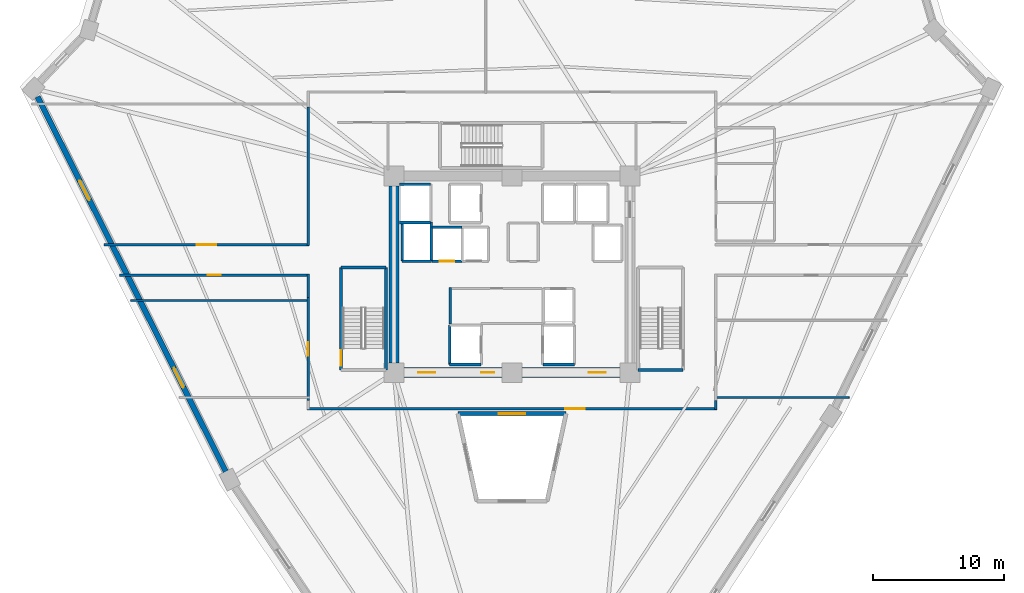
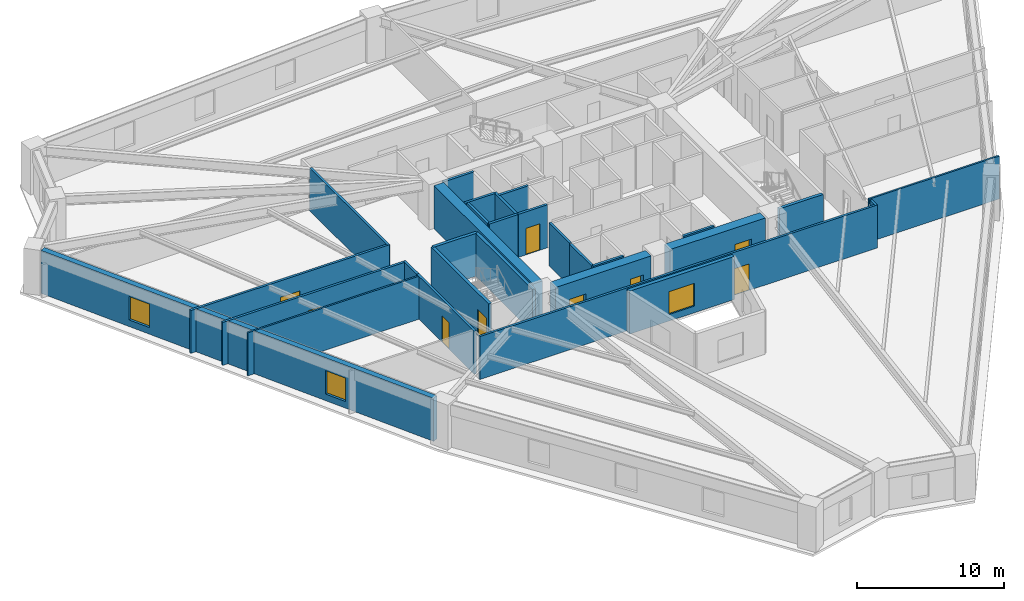
# One storey, part 3 of 7: 29 walls, 9 doors, 3 windows, 12 openings.
"""IFC4 building model written with IfcOpenShell, lengths in metres."""

from ifc_helpers import new_model, si_unit, direction, frame, frame_2d, origin, place, context, subcontext, project, spatial, rectangle, extrude, source, transform, mapped, material, layer, layer_set, type_object, element, fill, save


model = new_model("IFC4")

# Units and contexts
model_context = context("Model", 3, precision=1e-05, world=origin(), true_north=direction((0.0, 1.0)))
body_context = subcontext(model_context, "Body", "Model", "MODEL_VIEW")
ifc_project = project(units=[si_unit("LENGTHUNIT", "METRE"), si_unit("AREAUNIT", "SQUARE_METRE"), si_unit("VOLUMEUNIT", "CUBIC_METRE"), si_unit("PLANEANGLEUNIT", "RADIAN"), si_unit("MASSUNIT", "GRAM", prefix="KILO")], contexts=[model_context])

# Site, building, storey
site_placement = place(None, origin())
site = spatial("IfcSite", under=ifc_project, at=site_placement, CompositionType="ELEMENT")
building_placement = place(site_placement, origin())
building = spatial("IfcBuilding", under=site, at=building_placement, Name="Liaohun Quay Tower", CompositionType="ELEMENT")
storey_placement = place(building_placement, frame((0.0, 0.0, 117.0)))
storey = spatial("IfcBuildingStorey", under=building, at=storey_placement, Name="L30", CompositionType="ELEMENT", Elevation=117.0)

# Wall, opening, window
ifc_material_1 = material(Name="Concrete C50", Category="concrete")
ifc_layer_1 = layer(ifc_material_1, 0.300048828125, Name="Concrete C50", Category="concrete")
ifc_layer_set_1 = layer_set([ifc_layer_1], Name="Concrete C50")
wall_type_1 = type_object("IfcWallType", Name="WAL-ATR-300", PredefinedType="SOLIDWALL", material=ifc_layer_set_1)
wall_1_placement = place(storey_placement, frame((55.875, 43.3701171875, 0.0), z_axis=(0.0, 0.0, 1.0), x_axis=(1.0, 0.0, 0.0)))
wall_1 = element("IfcWall", 1, at=wall_1_placement, inside=storey, type_object=wall_type_1, Name="L30 Atrium Fire Compartment Wall 2", PredefinedType="SOLIDWALL", context=body_context, shape_type="SweptSolid", body=[
    extrude(rectangle(XDim=8.25, YDim=0.300048828125, at=frame_2d((4.125, 0.0))), origin(), (0.0, 0.0, 1.0), 3.570068359375),
])
shared_shape_1 = source(origin(), body_context, "Body", "SweptSolid", [
    extrude(rectangle(XDim=2.0, YDim=1.89990234375, at=frame_2d((1.0, 0.949951171875))), frame((0.0, 0.159912109375, 0.0), z_axis=(0.0, -1.0, 0.0), x_axis=(1.0, 0.0, 0.0)), (0.0, 0.0, 1.0), 0.320068359375),
])
opening_1_placement = place(wall_1_placement, frame((3.125, 0.0, 0.550048828125)))
opening_1 = element("IfcOpeningElement", 2, at=opening_1_placement, cuts=wall_1, Name="Opening W07", PredefinedType="OPENING", context=body_context, shape_type="MappedRepresentation", body=[
    mapped(shared_shape_1, transform((0.0, 0.0, 0.0), x_axis=(1.0, 0.0, 0.0), y_axis=(0.0, 1.0, 0.0), z_axis=(0.0, 0.0, 1.0), scale=1.0)),
])
ifc_material_2 = material(Name="Class A 180-min fire-resistant insulated glazing", Category="glass")
window_type_1 = type_object("IfcWindowType", Name="WIN-ATR-FIR", PartitioningType="DOUBLE_PANEL_VERTICAL", PredefinedType="WINDOW", material=ifc_material_2)
shared_shape_2 = source(origin(), body_context, "Body", "SweptSolid", [
    extrude(rectangle(XDim=2.0, YDim=1.89990234375, at=frame_2d((1.0, 0.949951171875))), frame((0.0, 0.030029296875, 0.0), z_axis=(0.0, -1.0, 0.0), x_axis=(1.0, 0.0, 0.0)), (0.0, 0.0, 1.0), 0.06005859375),
])
window_1_placement = place(opening_1_placement, origin())
window_1 = element("IfcWindow", 3, at=window_1_placement, inside=storey, type_object=window_type_1, Name="L30 Atrium Fire-Resistant Glazing W07-2", OverallHeight=1.89990234375, OverallWidth=2.0, PartitioningType="DOUBLE_PANEL_VERTICAL", PredefinedType="WINDOW", context=body_context, shape_type="MappedRepresentation", body=[
    mapped(shared_shape_2, transform((0.0, 0.0, 0.0), x_axis=(1.0, 0.0, 0.0), y_axis=(0.0, 1.0, 0.0), z_axis=(0.0, 0.0, 1.0), scale=1.0)),
])
fill(opening_1, window_1)

# Wall, opening, door
ifc_material_3 = material(Name="Concrete C60", Category="concrete")
ifc_layer_2 = layer(ifc_material_3, 0.75, Name="Concrete C60", Category="concrete")
ifc_layer_set_2 = layer_set([ifc_layer_2], Name="Concrete C60")
wall_type_2 = type_object("IfcWallType", Name="WAL-COR-Z2", PredefinedType="SHEAR", material=ifc_layer_set_2)
wall_2_placement = place(storey_placement, frame((68.25, 46.5, 0.0), z_axis=(0.0, 0.0, 1.0), x_axis=(-1.0, 0.0, 0.0)))
wall_2 = element("IfcWall", 4, at=wall_2_placement, inside=storey, type_object=wall_type_2, Name="L30 Central Core Shear Wall S-E", PredefinedType="SHEAR", context=body_context, shape_type="SweptSolid", body=[
    extrude(rectangle(XDim=7.5, YDim=0.75, at=frame_2d((3.75, 0.0))), origin(), (0.0, 0.0, 1.0), 3.570068359375),
])
shared_shape_3 = source(origin(), body_context, "Body", "SweptSolid", [
    extrude(rectangle(XDim=1.300048828125, YDim=2.199951171875, at=frame_2d((0.64990234375, 1.10009765625))), frame((0.0, 0.385009765625, 0.0), z_axis=(0.0, -1.0, 0.0), x_axis=(1.0, 0.0, 0.0)), (0.0, 0.0, 1.0), 0.77001953125),
])
opening_2_placement = place(wall_2_placement, frame((1.10009765625, 0.0, 0.0)))
opening_2 = element("IfcOpeningElement", 5, at=opening_2_placement, cuts=wall_2, Name="Opening FD1", PredefinedType="OPENING", context=body_context, shape_type="MappedRepresentation", body=[
    mapped(shared_shape_3, transform((0.0, 0.0, 0.0), x_axis=(1.0, 0.0, 0.0), y_axis=(0.0, 1.0, 0.0), z_axis=(0.0, 0.0, 1.0), scale=1.0)),
])
ifc_material_4 = material(Name="Galvanised steel smokeproof fire door", Category="steel")
door_type_1 = type_object("IfcDoorType", Name="DOR-FFL-1300", OperationType="NOTDEFINED", PredefinedType="DOOR", material=ifc_material_4)
shared_shape_4 = source(origin(), body_context, "Body", "SweptSolid", [
    extrude(rectangle(XDim=1.300048828125, YDim=2.199951171875, at=frame_2d((0.64990234375, 1.10009765625))), frame((0.0, 0.02490234375, 0.0), z_axis=(0.0, -1.0, 0.0), x_axis=(1.0, 0.0, 0.0)), (0.0, 0.0, 1.0), 0.050048828125),
])
door_1_placement = place(opening_2_placement, origin())
door_1 = element("IfcDoor", 6, at=door_1_placement, inside=storey, type_object=door_type_1, Name="L30 East Core Lift Lobby Smokeproof Door", OperationType="SINGLE_SWING_LEFT", OverallHeight=2.199951171875, OverallWidth=1.300048828125, PredefinedType="DOOR", context=body_context, shape_type="MappedRepresentation", body=[
    mapped(shared_shape_4, transform((0.0, 0.0, 0.0), x_axis=(1.0, 0.0, 0.0), y_axis=(0.0, 1.0, 0.0), z_axis=(0.0, 0.0, 1.0), scale=1.0)),
])
fill(opening_2, door_1)

# Wall, openings, doors
wall_3_placement = place(storey_placement, frame((59.25, 46.5, 0.0), z_axis=(0.0, 0.0, 1.0), x_axis=(-1.0, 0.0, 0.0)))
wall_3 = element("IfcWall", 7, at=wall_3_placement, inside=storey, type_object=wall_type_2, Name="L30 Central Core Shear Wall S-W", PredefinedType="SHEAR", context=body_context, shape_type="SweptSolid", body=[
    extrude(rectangle(XDim=7.5, YDim=0.75, at=frame_2d((3.75, 0.0))), origin(), (0.0, 0.0, 1.0), 3.570068359375),
])
opening_3_placement = place(wall_3_placement, frame((5.10009765625, 0.0, 0.0)))
opening_3 = element("IfcOpeningElement", 8, at=opening_3_placement, cuts=wall_3, Name="Opening FD1", PredefinedType="OPENING", context=body_context, shape_type="MappedRepresentation", body=[
    mapped(shared_shape_3, transform((0.0, 0.0, 0.0), x_axis=(1.0, 0.0, 0.0), y_axis=(0.0, 1.0, 0.0), z_axis=(0.0, 0.0, 1.0), scale=1.0)),
])
shared_shape_5 = source(origin(), body_context, "Body", "SweptSolid", [
    extrude(rectangle(XDim=1.0, YDim=2.199951171875, at=frame_2d((0.5, 1.10009765625))), frame((0.0, 0.385009765625, 0.0), z_axis=(0.0, -1.0, 0.0), x_axis=(1.0, 0.0, 0.0)), (0.0, 0.0, 1.0), 0.77001953125),
])
opening_4_placement = place(wall_3_placement, frame((0.60009765625, 0.0, 0.0)))
opening_4 = element("IfcOpeningElement", 9, at=opening_4_placement, cuts=wall_3, Name="Opening FD2", PredefinedType="OPENING", context=body_context, shape_type="MappedRepresentation", body=[
    mapped(shared_shape_5, transform((0.0, 0.0, 0.0), x_axis=(1.0, 0.0, 0.0), y_axis=(0.0, 1.0, 0.0), z_axis=(0.0, 0.0, 1.0), scale=1.0)),
])
door_2_placement = place(opening_3_placement, origin())
door_2 = element("IfcDoor", 10, at=door_2_placement, inside=storey, type_object=door_type_1, Name="L30 West Core Lift Lobby Smokeproof Door", OperationType="SINGLE_SWING_RIGHT", OverallHeight=2.199951171875, OverallWidth=1.300048828125, PredefinedType="DOOR", context=body_context, shape_type="MappedRepresentation", body=[
    mapped(shared_shape_4, transform((0.0, 0.0, 0.0), x_axis=(1.0, 0.0, 0.0), y_axis=(0.0, 1.0, 0.0), z_axis=(0.0, 0.0, 1.0), scale=1.0)),
])
fill(opening_3, door_2)
ifc_material_5 = material(Name="Galvanised steel smokeproof lobby fire door", Category="steel")
door_type_2 = type_object("IfcDoorType", Name="DOR-FFL-1000", OperationType="NOTDEFINED", PredefinedType="DOOR", material=ifc_material_5)
shared_shape_6 = source(origin(), body_context, "Body", "SweptSolid", [
    extrude(rectangle(XDim=1.0, YDim=2.199951171875, at=frame_2d((0.5, 1.10009765625))), frame((0.0, 0.02490234375, 0.0), z_axis=(0.0, -1.0, 0.0), x_axis=(1.0, 0.0, 0.0)), (0.0, 0.0, 1.0), 0.050048828125),
])
door_3_placement = place(opening_4_placement, origin())
door_3 = element("IfcDoor", 11, at=door_3_placement, inside=storey, type_object=door_type_2, Name="L30 South Firefighting Lobby Smokeproof Door", OperationType="SINGLE_SWING_LEFT", OverallHeight=2.199951171875, OverallWidth=1.0, PredefinedType="DOOR", context=body_context, shape_type="MappedRepresentation", body=[
    mapped(shared_shape_6, transform((0.0, 0.0, 0.0), x_axis=(1.0, 0.0, 0.0), y_axis=(0.0, 1.0, 0.0), z_axis=(0.0, 0.0, 1.0), scale=1.0)),
])
fill(opening_4, door_3)

# Wall
wall_4_placement = place(storey_placement, frame((51.0, 47.25, 0.0), z_axis=(0.0, 0.0, 1.0), x_axis=(0.0, 1.0, 0.0)))
element("IfcWall", 12, at=wall_4_placement, inside=storey, type_object=wall_type_2, Name="L30 Central Core Shear Wall W", PredefinedType="SHEAR", context=body_context, shape_type="SweptSolid", body=[
    extrude(rectangle(XDim=13.5, YDim=0.75, at=frame_2d((6.75, 0.0))), origin(), (0.0, 0.0, 1.0), 3.570068359375),
])

# Wall, openings, windows
ifc_material_6 = material(Name="Precast concrete C50 insulated sandwich", Category="concrete")
ifc_layer_3 = layer(ifc_material_6, 0.419921875, Name="Precast concrete C50 insulated sandwich", Category="concrete")
ifc_layer_set_3 = layer_set([ifc_layer_3], Name="Precast concrete C50 insulated sandwich")
wall_type_3 = type_object("IfcWallType", Name="WAL-EXT-Z12", PredefinedType="SOLIDWALL", material=ifc_layer_set_3)
wall_5_placement = place(storey_placement, frame((23.797119140625, 67.552978515625, 0.0), z_axis=(0.0, 0.0, 1.0), x_axis=(0.448851439989, -0.893606392558, 0.0)))
wall_5 = element("IfcWall", 13, at=wall_5_placement, inside=storey, type_object=wall_type_3, Name="L30 Brutalist Precast Pier Wall 10", PredefinedType="SOLIDWALL", context=body_context, shape_type="SweptSolid", body=[
    extrude(rectangle(XDim=32.00390625, YDim=0.419921875, at=frame_2d((16.001953125, 0.0))), origin(), (0.0, 0.0, 1.0), 3.570068359375),
])
shared_shape_7 = source(origin(), body_context, "Body", "SweptSolid", [
    extrude(rectangle(XDim=1.64990234375, YDim=1.949951171875, at=frame_2d((0.824951171875, 0.97509765625))), frame((0.0, 0.219970703125, 0.0), z_axis=(0.0, -1.0, 0.0), x_axis=(1.0, 0.0, 0.0)), (0.0, 0.0, 1.0), 0.43994140625),
])
opening_5_placement = place(wall_5_placement, frame((7.176025390625, 0.0, 0.550048828125)))
opening_5 = element("IfcOpeningElement", 14, at=opening_5_placement, cuts=wall_5, Name="Opening W02", PredefinedType="OPENING", context=body_context, shape_type="MappedRepresentation", body=[
    mapped(shared_shape_7, transform((0.0, 0.0, 0.0), x_axis=(1.0, 0.0, 0.0), y_axis=(0.0, 1.0, 0.0), z_axis=(0.0, 0.0, 1.0), scale=1.0)),
])
opening_6_placement = place(wall_5_placement, frame((23.177978515625, 0.0, 0.550048828125)))
opening_6 = element("IfcOpeningElement", 15, at=opening_6_placement, cuts=wall_5, Name="Opening W02", PredefinedType="OPENING", context=body_context, shape_type="MappedRepresentation", body=[
    mapped(shared_shape_7, transform((0.0, 0.0, 0.0), x_axis=(1.0, 0.0, 0.0), y_axis=(0.0, 1.0, 0.0), z_axis=(0.0, 0.0, 1.0), scale=1.0)),
])
ifc_material_7 = material(Name="Triple Low-E argon glazing in thermally broken aluminium", Category="aluminium")
window_type_2 = type_object("IfcWindowType", Name="WIN-PUN-Z2", PartitioningType="DOUBLE_PANEL_VERTICAL", PredefinedType="WINDOW", material=ifc_material_7)
shared_shape_8 = source(origin(), body_context, "Body", "SweptSolid", [
    extrude(rectangle(XDim=1.64990234375, YDim=1.949951171875, at=frame_2d((0.824951171875, 0.97509765625))), frame((0.0, 0.030029296875, 0.0), z_axis=(0.0, -1.0, 0.0), x_axis=(1.0, 0.0, 0.0)), (0.0, 0.0, 1.0), 0.06005859375),
])
window_2_placement = place(opening_5_placement, origin())
window_2 = element("IfcWindow", 16, at=window_2_placement, inside=storey, type_object=window_type_2, Name="L30 Recessed Cold-Climate Punched Window 10-1", OverallHeight=1.949951171875, OverallWidth=1.64990234375, PartitioningType="DOUBLE_PANEL_VERTICAL", PredefinedType="WINDOW", context=body_context, shape_type="MappedRepresentation", body=[
    mapped(shared_shape_8, transform((0.0, 0.0, 0.0), x_axis=(1.0, 0.0, 0.0), y_axis=(0.0, 1.0, 0.0), z_axis=(0.0, 0.0, 1.0), scale=1.0)),
])
fill(opening_5, window_2)
window_3_placement = place(opening_6_placement, origin())
window_3 = element("IfcWindow", 17, at=window_3_placement, inside=storey, type_object=window_type_2, Name="L30 Recessed Cold-Climate Punched Window 10-3", OverallHeight=1.949951171875, OverallWidth=1.64990234375, PartitioningType="DOUBLE_PANEL_VERTICAL", PredefinedType="WINDOW", context=body_context, shape_type="MappedRepresentation", body=[
    mapped(shared_shape_8, transform((0.0, 0.0, 0.0), x_axis=(1.0, 0.0, 0.0), y_axis=(0.0, 1.0, 0.0), z_axis=(0.0, 0.0, 1.0), scale=1.0)),
])
fill(opening_6, window_3)

# Wall, opening, door
ifc_material_8 = material(Name="Autoclaved aerated concrete blockwork", Category="masonry")
ifc_layer_4 = layer(ifc_material_8, 0.179931640625, Name="Autoclaved aerated concrete blockwork", Category="masonry")
ifc_layer_set_4 = layer_set([ifc_layer_4], Name="Autoclaved aerated concrete blockwork")
wall_type_4 = type_object("IfcWallType", Name="WAL-PRT-COR", PredefinedType="PARTITIONING", material=ifc_layer_set_4)
wall_6_placement = place(storey_placement, frame((28.8740234375, 56.260009765625, 0.0), z_axis=(0.0, 0.0, 1.0), x_axis=(1.0, 0.0, 0.0)))
wall_6 = element("IfcWall", 18, at=wall_6_placement, inside=storey, type_object=wall_type_4, Name="L30 Interior Partition Wall 013", PredefinedType="PARTITIONING", context=body_context, shape_type="SweptSolid", body=[
    extrude(rectangle(XDim=15.635986328125, YDim=0.179931640625, at=frame_2d((7.81787109375, 0.0))), origin(), (0.0, 0.0, 1.0), 3.570068359375),
])
shared_shape_9 = source(origin(), body_context, "Body", "SweptSolid", [
    extrude(rectangle(XDim=1.5, YDim=2.199951171875, at=frame_2d((0.75, 1.10009765625))), frame((0.0, 0.099853515625, 0.0), z_axis=(0.0, -1.0, 0.0), x_axis=(1.0, 0.0, 0.0)), (0.0, 0.0, 1.0), 0.199951171875),
])
opening_7_placement = place(wall_6_placement, frame((7.068115234375, 0.0, 0.0)))
opening_7 = element("IfcOpeningElement", 19, at=opening_7_placement, cuts=wall_6, Name="Opening OD2", PredefinedType="OPENING", context=body_context, shape_type="MappedRepresentation", body=[
    mapped(shared_shape_9, transform((0.0, 0.0, 0.0), x_axis=(1.0, 0.0, 0.0), y_axis=(0.0, 1.0, 0.0), z_axis=(0.0, 0.0, 1.0), scale=1.0)),
])
ifc_material_9 = material(Name="Acoustic oak veneer double door")
door_type_3 = type_object("IfcDoorType", Name="DOR-OFF-1500", OperationType="DOUBLE_DOOR_SINGLE_SWING", PredefinedType="DOOR", material=ifc_material_9)
shared_shape_10 = source(origin(), body_context, "Body", "SweptSolid", [
    extrude(rectangle(XDim=1.5, YDim=2.199951171875, at=frame_2d((0.75, 1.10009765625))), frame((0.0, 0.02490234375, 0.0), z_axis=(0.0, -1.0, 0.0), x_axis=(1.0, 0.0, 0.0)), (0.0, 0.0, 1.0), 0.050048828125),
])
door_4_placement = place(opening_7_placement, origin())
door_4 = element("IfcDoor", 20, at=door_4_placement, inside=storey, type_object=door_type_3, Name="L30 Project Collaboration Studio 04 Door", OperationType="DOUBLE_DOOR_SINGLE_SWING", OverallHeight=2.199951171875, OverallWidth=1.5, PredefinedType="DOOR", context=body_context, shape_type="MappedRepresentation", body=[
    mapped(shared_shape_10, transform((0.0, 0.0, 0.0), x_axis=(1.0, 0.0, 0.0), y_axis=(0.0, 1.0, 0.0), z_axis=(0.0, 0.0, 1.0), scale=1.0)),
])
fill(opening_7, door_4)

wall_7_placement = place(storey_placement, frame((44.510009765625, 53.93994140625, 0.0), z_axis=(0.0, 0.0, 1.0), x_axis=(-1.0, 0.0, 0.0)))
wall_7 = element("IfcWall", 21, at=wall_7_placement, inside=storey, type_object=wall_type_4, Name="L30 Interior Partition Wall 014", PredefinedType="PARTITIONING", context=body_context, shape_type="SweptSolid", body=[
    extrude(rectangle(XDim=14.470947265625, YDim=0.179931640625, at=frame_2d((7.2353515625, 0.0))), origin(), (0.0, 0.0, 1.0), 3.570068359375),
])
shared_shape_11 = source(origin(), body_context, "Body", "SweptSolid", [
    extrude(rectangle(XDim=1.0, YDim=2.199951171875, at=frame_2d((0.5, 1.10009765625))), frame((0.0, 0.099853515625, 0.0), z_axis=(0.0, -1.0, 0.0), x_axis=(1.0, 0.0, 0.0)), (0.0, 0.0, 1.0), 0.199951171875),
])
opening_8_placement = place(wall_7_placement, frame((6.735107421875, 0.0, 0.0)))
opening_8 = element("IfcOpeningElement", 22, at=opening_8_placement, cuts=wall_7, Name="Opening OD1", PredefinedType="OPENING", context=body_context, shape_type="MappedRepresentation", body=[
    mapped(shared_shape_11, transform((0.0, 0.0, 0.0), x_axis=(1.0, 0.0, 0.0), y_axis=(0.0, 1.0, 0.0), z_axis=(0.0, 0.0, 1.0), scale=1.0)),
])
ifc_material_10 = material(Name="Solid-core oak veneer timber leaf in steel frame", Category="steel")
door_type_4 = type_object("IfcDoorType", Name="DOR-OFF-1000", OperationType="NOTDEFINED", PredefinedType="DOOR", material=ifc_material_10)
door_5_placement = place(opening_8_placement, origin())
door_5 = element("IfcDoor", 23, at=door_5_placement, inside=storey, type_object=door_type_4, Name="L30 Staff Daycare Nursery 05 Door", OperationType="SINGLE_SWING_LEFT", OverallHeight=2.199951171875, OverallWidth=1.0, PredefinedType="DOOR", context=body_context, shape_type="MappedRepresentation", body=[
    mapped(shared_shape_6, transform((0.0, 0.0, 0.0), x_axis=(1.0, 0.0, 0.0), y_axis=(0.0, 1.0, 0.0), z_axis=(0.0, 0.0, 1.0), scale=1.0)),
])
fill(opening_8, door_5)

wall_8_placement = place(storey_placement, frame((44.43994140625, 44.385009765625, 0.0), z_axis=(0.0, 0.0, 1.0), x_axis=(0.0, 1.0, 0.0)))
wall_8 = element("IfcWall", 24, at=wall_8_placement, inside=storey, type_object=wall_type_4, Name="L30 Interior Partition Wall 015", PredefinedType="PARTITIONING", context=body_context, shape_type="SweptSolid", body=[
    extrude(rectangle(XDim=7.830078125, YDim=0.179931640625, at=frame_2d((3.9150390625, 0.0))), origin(), (0.0, 0.0, 1.0), 3.570068359375),
])
opening_9_placement = place(wall_8_placement, frame((3.4150390625, 0.0, 0.0)))
opening_9 = element("IfcOpeningElement", 25, at=opening_9_placement, cuts=wall_8, Name="Opening OD1", PredefinedType="OPENING", context=body_context, shape_type="MappedRepresentation", body=[
    mapped(shared_shape_11, transform((0.0, 0.0, 0.0), x_axis=(1.0, 0.0, 0.0), y_axis=(0.0, 1.0, 0.0), z_axis=(0.0, 0.0, 1.0), scale=1.0)),
])
door_6_placement = place(opening_9_placement, origin())
door_6 = element("IfcDoor", 26, at=door_6_placement, inside=storey, type_object=door_type_4, Name="L30 Staff Tea Kitchen and Pantry 06 Door", OperationType="SINGLE_SWING_RIGHT", OverallHeight=2.199951171875, OverallWidth=1.0, PredefinedType="DOOR", context=body_context, shape_type="MappedRepresentation", body=[
    mapped(shared_shape_6, transform((0.0, 0.0, 0.0), x_axis=(1.0, 0.0, 0.0), y_axis=(0.0, 1.0, 0.0), z_axis=(0.0, 0.0, 1.0), scale=1.0)),
])
fill(opening_9, door_6)

wall_9_placement = place(storey_placement, frame((75.6298828125, 43.739990234375, 0.0), z_axis=(0.0, 0.0, 1.0), x_axis=(-1.0, 0.0, 0.0)))
wall_9 = element("IfcWall", 27, at=wall_9_placement, inside=storey, type_object=wall_type_4, Name="L30 Interior Partition Wall 016", PredefinedType="PARTITIONING", context=body_context, shape_type="SweptSolid", body=[
    extrude(rectangle(XDim=31.259765625, YDim=0.179931640625, at=frame_2d((15.6298828125, 0.0))), origin(), (0.0, 0.0, 1.0), 3.570068359375),
])
opening_10_placement = place(wall_9_placement, frame((10.080078125, 0.0, 0.0)))
opening_10 = element("IfcOpeningElement", 28, at=opening_10_placement, cuts=wall_9, Name="Opening OD2", PredefinedType="OPENING", context=body_context, shape_type="MappedRepresentation", body=[
    mapped(shared_shape_9, transform((0.0, 0.0, 0.0), x_axis=(1.0, 0.0, 0.0), y_axis=(0.0, 1.0, 0.0), z_axis=(0.0, 0.0, 1.0), scale=1.0)),
])
door_7_placement = place(opening_10_placement, origin())
door_7 = element("IfcDoor", 29, at=door_7_placement, inside=storey, type_object=door_type_3, Name="L30 Technical Reference Library 07 Door", OperationType="DOUBLE_DOOR_SINGLE_SWING", OverallHeight=2.199951171875, OverallWidth=1.5, PredefinedType="DOOR", context=body_context, shape_type="MappedRepresentation", body=[
    mapped(shared_shape_10, transform((0.0, 0.0, 0.0), x_axis=(1.0, 0.0, 0.0), y_axis=(0.0, 1.0, 0.0), z_axis=(0.0, 0.0, 1.0), scale=1.0)),
])
fill(opening_10, door_7)

# Walls
wall_10_placement = place(storey_placement, frame((44.43994140625, 56.18994140625, 0.0), z_axis=(0.0, 0.0, 1.0), x_axis=(0.0, 1.0, 0.0)))
element("IfcWall", 30, at=wall_10_placement, inside=storey, type_object=wall_type_4, Name="L30 Interior Partition Wall 032", PredefinedType="PARTITIONING", context=body_context, shape_type="SweptSolid", body=[
    extrude(rectangle(XDim=10.594970703125, YDim=0.179931640625, at=frame_2d((5.29736328125, 0.0))), origin(), (0.0, 0.0, 1.0), 3.570068359375),
])
wall_11_placement = place(storey_placement, frame((44.43994140625, 52.215087890625, 0.0), z_axis=(0.0, 0.0, 1.0), x_axis=(0.0, 1.0, 0.0)))
element("IfcWall", 31, at=wall_11_placement, inside=storey, type_object=wall_type_4, Name="L30 Interior Partition Wall 033", PredefinedType="PARTITIONING", context=body_context, shape_type="SweptSolid", body=[
    extrude(rectangle(XDim=1.794921875, YDim=0.179931640625, at=frame_2d((0.8974609375, 0.0))), origin(), (0.0, 0.0, 1.0), 3.570068359375),
])
wall_12_placement = place(storey_placement, frame((75.56005859375, 44.385009765625, 0.0), z_axis=(0.0, 0.0, 1.0), x_axis=(0.0, -1.0, 0.0)))
element("IfcWall", 32, at=wall_12_placement, inside=storey, type_object=wall_type_4, Name="L30 Interior Partition Wall 035", PredefinedType="PARTITIONING", context=body_context, shape_type="SweptSolid", body=[
    extrude(rectangle(XDim=0.715087890625, YDim=0.179931640625, at=frame_2d((0.357421875, 0.0))), origin(), (0.0, 0.0, 1.0), 3.570068359375),
])
wall_13_placement = place(storey_placement, frame((55.300048828125, 50.219970703125, 0.0), z_axis=(0.0, 0.0, 1.0), x_axis=(0.0, 1.0, 0.0)))
element("IfcWall", 33, at=wall_13_placement, inside=storey, type_object=wall_type_4, Name="L30 Interior Partition Wall 044", PredefinedType="PARTITIONING", context=body_context, shape_type="SweptSolid", body=[
    extrude(rectangle(XDim=2.7900390625, YDim=0.179931640625, at=frame_2d((1.39501953125, 0.0))), origin(), (0.0, 0.0, 1.0), 3.570068359375),
])
ifc_material_11 = material(Name="Gypsum board on twin steel studs", Category="steel")
ifc_layer_5 = layer(ifc_material_11, 0.139892578125, Name="Gypsum board on twin steel studs", Category="steel")
ifc_layer_set_5 = layer_set([ifc_layer_5], Name="Gypsum board on twin steel studs")
wall_type_5 = type_object("IfcWallType", Name="WAL-PRT-OFF", PredefinedType="PARTITIONING", material=ifc_layer_set_5)
wall_14_placement = place(storey_placement, frame((44.5400390625, 52.0, 0.0), z_axis=(0.0, 0.0, 1.0), x_axis=(-1.0, 0.0, 0.0)))
element("IfcWall", 34, at=wall_14_placement, inside=storey, type_object=wall_type_5, Name="L30 Interior Partition Wall 038", PredefinedType="PARTITIONING", context=body_context, shape_type="SweptSolid", body=[
    extrude(rectangle(XDim=13.635986328125, YDim=0.139892578125, at=frame_2d((6.81787109375, 0.0))), origin(), (0.0, 0.0, 1.0), 3.570068359375),
])
wall_15_placement = place(storey_placement, frame((75.4599609375, 44.60009765625, 0.0), z_axis=(0.0, 0.0, 1.0), x_axis=(1.0, 0.0, 0.0)))
element("IfcWall", 35, at=wall_15_placement, inside=storey, type_object=wall_type_5, Name="L30 Interior Partition Wall 040", PredefinedType="PARTITIONING", context=body_context, shape_type="SweptSolid", body=[
    extrude(rectangle(XDim=10.259033203125, YDim=0.139892578125, at=frame_2d((5.12939453125, 0.0))), origin(), (0.0, 0.0, 1.0), 3.570068359375),
])
ifc_layer_6 = layer(ifc_material_1, 0.239990234375, Name="Concrete C50", Category="concrete")
ifc_layer_set_6 = layer_set([ifc_layer_6], Name="Concrete C50")
wall_type_6 = type_object("IfcWallType", Name="WAL-SHF-200", PredefinedType="SOLIDWALL", material=ifc_layer_set_6)
wall_16_placement = place(storey_placement, frame((50.3798828125, 46.699951171875, 0.0), z_axis=(0.0, 0.0, 1.0), x_axis=(0.0, 1.0, 0.0)))
element("IfcWall", 36, at=wall_16_placement, inside=storey, type_object=wall_type_6, Name="L30 Stairwell ST-1 Structural Core Wall E", PredefinedType="SOLIDWALL", context=body_context, shape_type="SweptSolid", body=[
    extrude(rectangle(XDim=7.820068359375, YDim=0.239990234375, at=frame_2d((3.91015625, 0.0))), origin(), (0.0, 0.0, 1.0), 3.570068359375),
])
wall_17_placement = place(storey_placement, frame((50.3798828125, 54.52001953125, 0.0), z_axis=(0.0, 0.0, 1.0), x_axis=(-1.0, 0.0, 0.0)))
element("IfcWall", 37, at=wall_17_placement, inside=storey, type_object=wall_type_6, Name="L30 Stairwell ST-1 Structural Core Wall N", PredefinedType="SOLIDWALL", context=body_context, shape_type="SweptSolid", body=[
    extrude(rectangle(XDim=3.43994140625, YDim=0.239990234375, at=frame_2d((1.719970703125, 0.0))), origin(), (0.0, 0.0, 1.0), 3.570068359375),
])

# Wall, opening, door
wall_18_placement = place(storey_placement, frame((46.93994140625, 54.52001953125, 0.0), z_axis=(0.0, 0.0, 1.0), x_axis=(0.0, -1.0, 0.0)))
wall_18 = element("IfcWall", 38, at=wall_18_placement, inside=storey, type_object=wall_type_6, Name="L30 Stairwell ST-1 Structural Core Wall W", PredefinedType="SOLIDWALL", context=body_context, shape_type="SweptSolid", body=[
    extrude(rectangle(XDim=7.820068359375, YDim=0.239990234375, at=frame_2d((3.91015625, 0.0))), origin(), (0.0, 0.0, 1.0), 3.570068359375),
])
shared_shape_12 = source(origin(), body_context, "Body", "SweptSolid", [
    extrude(rectangle(XDim=1.199951171875, YDim=2.199951171875, at=frame_2d((0.60009765625, 1.10009765625))), frame((0.0, 0.1298828125, 0.0), z_axis=(0.0, -1.0, 0.0), x_axis=(1.0, 0.0, 0.0)), (0.0, 0.0, 1.0), 0.260009765625),
])
opening_11_placement = place(wall_18_placement, frame((6.300048828125, 0.0, 0.0)))
opening_11 = element("IfcOpeningElement", 39, at=opening_11_placement, cuts=wall_18, Name="Opening SD1", PredefinedType="OPENING", context=body_context, shape_type="MappedRepresentation", body=[
    mapped(shared_shape_12, transform((0.0, 0.0, 0.0), x_axis=(1.0, 0.0, 0.0), y_axis=(0.0, 1.0, 0.0), z_axis=(0.0, 0.0, 1.0), scale=1.0)),
])
ifc_material_12 = material(Name="Galvanised steel fire door", Category="steel")
door_type_5 = type_object("IfcDoorType", Name="DOR-STR-1200", OperationType="NOTDEFINED", PredefinedType="DOOR", material=ifc_material_12)
shared_shape_13 = source(origin(), body_context, "Body", "SweptSolid", [
    extrude(rectangle(XDim=1.199951171875, YDim=2.199951171875, at=frame_2d((0.60009765625, 1.10009765625))), frame((0.0, 0.02490234375, 0.0), z_axis=(0.0, -1.0, 0.0), x_axis=(1.0, 0.0, 0.0)), (0.0, 0.0, 1.0), 0.050048828125),
])
door_8_placement = place(opening_11_placement, origin())
door_8 = element("IfcDoor", 40, at=door_8_placement, inside=storey, type_object=door_type_5, Name="L30 Protected Stair ST-1 Fire Door", OperationType="SINGLE_SWING_LEFT", OverallHeight=2.199951171875, OverallWidth=1.199951171875, PredefinedType="DOOR", context=body_context, shape_type="MappedRepresentation", body=[
    mapped(shared_shape_13, transform((0.0, 0.0, 0.0), x_axis=(1.0, 0.0, 0.0), y_axis=(0.0, 1.0, 0.0), z_axis=(0.0, 0.0, 1.0), scale=1.0)),
])
fill(opening_11, door_8)

# Walls
wall_19_placement = place(storey_placement, frame((69.6201171875, 46.699951171875, 0.0), z_axis=(0.0, 0.0, 1.0), x_axis=(1.0, 0.0, 0.0)))
element("IfcWall", 41, at=wall_19_placement, inside=storey, type_object=wall_type_6, Name="L30 Stairwell ST-2 Structural Core Wall S", PredefinedType="SOLIDWALL", context=body_context, shape_type="SweptSolid", body=[
    extrude(rectangle(XDim=3.43994140625, YDim=0.239990234375, at=frame_2d((1.719970703125, 0.0))), origin(), (0.0, 0.0, 1.0), 3.570068359375),
])
wall_20_placement = place(storey_placement, frame((55.25, 47.1201171875, 0.0), z_axis=(0.0, 0.0, 1.0), x_axis=(1.0, 0.0, 0.0)))
element("IfcWall", 42, at=wall_20_placement, inside=storey, type_object=wall_type_6, Name="L30 Lift FF-01 Hoistway Wall S", PredefinedType="SOLIDWALL", context=body_context, shape_type="SweptSolid", body=[
    extrude(rectangle(XDim=2.39990234375, YDim=0.199951171875, at=frame_2d((1.199951171875, 0.0))), origin(), (0.0, 0.0, 1.0), 3.570068359375),
])
wall_21_placement = place(storey_placement, frame((55.25, 50.1201171875, 0.0), z_axis=(0.0, 0.0, 1.0), x_axis=(0.0, -1.0, 0.0)))
element("IfcWall", 43, at=wall_21_placement, inside=storey, type_object=wall_type_6, Name="L30 Lift FF-01 Hoistway Wall W", PredefinedType="SOLIDWALL", context=body_context, shape_type="SweptSolid", body=[
    extrude(rectangle(XDim=3.0, YDim=0.199951171875, at=frame_2d((1.5, 0.0))), origin(), (0.0, 0.0, 1.0), 3.570068359375),
])
wall_22_placement = place(storey_placement, frame((62.35009765625, 47.1201171875, 0.0), z_axis=(0.0, 0.0, 1.0), x_axis=(1.0, 0.0, 0.0)))
element("IfcWall", 44, at=wall_22_placement, inside=storey, type_object=wall_type_6, Name="L30 Lift FF-02 Hoistway Wall S", PredefinedType="SOLIDWALL", context=body_context, shape_type="SweptSolid", body=[
    extrude(rectangle(XDim=2.39990234375, YDim=0.199951171875, at=frame_2d((1.199951171875, 0.0))), origin(), (0.0, 0.0, 1.0), 3.570068359375),
])
for number, where, z_axis, x_axis, name in (
    (45, (51.39990234375, 57.949951171875, 0.0), (0.0, 0.0, 1.0), (1.0, 0.0, 0.0), "L30 Lift SH-01 Hoistway Wall S"),
    (46, (53.800048828125, 60.8798828125, 0.0), (0.0, 0.0, 1.0), (-1.0, 0.0, 0.0), "L30 Lift SH-01 Hoistway Wall N"),
):
    element("IfcWall", number, at=place(storey_placement, frame(where, z_axis=z_axis, x_axis=x_axis)), inside=storey, type_object=wall_type_6, Name=name, PredefinedType="SOLIDWALL", context=body_context, shape_type="SweptSolid", body=[
        extrude(rectangle(XDim=2.400146484375, YDim=0.199951171875, at=frame_2d((1.2001953125, 0.0))), origin(), (0.0, 0.0, 1.0), 3.570068359375),
    ])
wall_23_placement = place(storey_placement, frame((51.6201171875, 55.0, 0.0), z_axis=(0.0, 0.0, 1.0), x_axis=(1.0, 0.0, 0.0)))
element("IfcWall", 47, at=wall_23_placement, inside=storey, type_object=wall_type_6, Name="L30 Lift SH-02 Hoistway Wall S", PredefinedType="SOLIDWALL", context=body_context, shape_type="SweptSolid", body=[
    extrude(rectangle(XDim=2.22998046875, YDim=0.199951171875, at=frame_2d((1.114990234375, 0.0))), origin(), (0.0, 0.0, 1.0), 3.570068359375),
])
for number, where, z_axis, x_axis, name in (
    (48, (53.85009765625, 55.0, 0.0), (0.0, 0.0, 1.0), (0.0, 1.0, 0.0), "L30 Lift SH-02 Hoistway Wall E"),
    (49, (51.6201171875, 58.0, 0.0), (0.0, 0.0, 1.0), (0.0, -1.0, 0.0), "L30 Lift SH-02 Hoistway Wall W"),
):
    element("IfcWall", number, at=place(storey_placement, frame(where, z_axis=z_axis, x_axis=x_axis)), inside=storey, type_object=wall_type_6, Name=name, PredefinedType="SOLIDWALL", context=body_context, shape_type="SweptSolid", body=[
        extrude(rectangle(XDim=3.0, YDim=0.199951171875, at=frame_2d((1.5, 0.0))), origin(), (0.0, 0.0, 1.0), 3.570068359375),
    ])

# Wall, opening, door
wall_24_placement = place(storey_placement, frame((53.89990234375, 55.0, 0.0), z_axis=(0.0, 0.0, 1.0), x_axis=(1.0, 0.0, 0.0)))
wall_24 = element("IfcWall", 50, at=wall_24_placement, inside=storey, type_object=wall_type_6, Name="L30 Lift PL-2B Hoistway Wall S", PredefinedType="SOLIDWALL", context=body_context, shape_type="SweptSolid", body=[
    extrude(rectangle(XDim=2.300048828125, YDim=0.199951171875, at=frame_2d((1.14990234375, 0.0))), origin(), (0.0, 0.0, 1.0), 3.570068359375),
])
shared_shape_14 = source(origin(), body_context, "Body", "SweptSolid", [
    extrude(rectangle(XDim=1.10009765625, YDim=2.199951171875, at=frame_2d((0.550048828125, 1.10009765625))), frame((0.0, 0.10986328125, 0.0), z_axis=(0.0, -1.0, 0.0), x_axis=(1.0, 0.0, 0.0)), (0.0, 0.0, 1.0), 0.219970703125),
])
opening_12_placement = place(wall_24_placement, frame((0.60009765625, 0.0, 0.0)))
opening_12 = element("IfcOpeningElement", 51, at=opening_12_placement, cuts=wall_24, Name="Opening LD1", PredefinedType="OPENING", context=body_context, shape_type="MappedRepresentation", body=[
    mapped(shared_shape_14, transform((0.0, 0.0, 0.0), x_axis=(1.0, 0.0, 0.0), y_axis=(0.0, 1.0, 0.0), z_axis=(0.0, 0.0, 1.0), scale=1.0)),
])
ifc_material_13 = material(Name="Brushed stainless steel landing door", Category="steel")
door_type_6 = type_object("IfcDoorType", Name="DOR-LFT-1100", OperationType="SLIDING_TO_LEFT", PredefinedType="DOOR", material=ifc_material_13)
shared_shape_15 = source(origin(), body_context, "Body", "SweptSolid", [
    extrude(rectangle(XDim=1.10009765625, YDim=2.199951171875, at=frame_2d((0.550048828125, 1.10009765625))), frame((0.0, 0.02490234375, 0.0), z_axis=(0.0, -1.0, 0.0), x_axis=(1.0, 0.0, 0.0)), (0.0, 0.0, 1.0), 0.050048828125),
])
door_9_placement = place(opening_12_placement, origin())
door_9 = element("IfcDoor", 52, at=door_9_placement, inside=storey, type_object=door_type_6, Name="L30 Lift PL-2B Sliding Landing Door", OperationType="SLIDING_TO_LEFT", OverallHeight=2.199951171875, OverallWidth=1.10009765625, PredefinedType="DOOR", context=body_context, shape_type="MappedRepresentation", body=[
    mapped(shared_shape_15, transform((0.0, 0.0, 0.0), x_axis=(1.0, 0.0, 0.0), y_axis=(0.0, 1.0, 0.0), z_axis=(0.0, 0.0, 1.0), scale=1.0)),
])
fill(opening_12, door_9)

# Wall
wall_25_placement = place(storey_placement, frame((56.199951171875, 57.60009765625, 0.0), z_axis=(0.0, 0.0, 1.0), x_axis=(-1.0, 0.0, 0.0)))
element("IfcWall", 53, at=wall_25_placement, inside=storey, type_object=wall_type_6, Name="L30 Lift PL-2B Hoistway Wall N", PredefinedType="SOLIDWALL", context=body_context, shape_type="SweptSolid", body=[
    extrude(rectangle(XDim=2.300048828125, YDim=0.199951171875, at=frame_2d((1.14990234375, 0.0))), origin(), (0.0, 0.0, 1.0), 3.570068359375),
])

save(model, "model.ifc")
